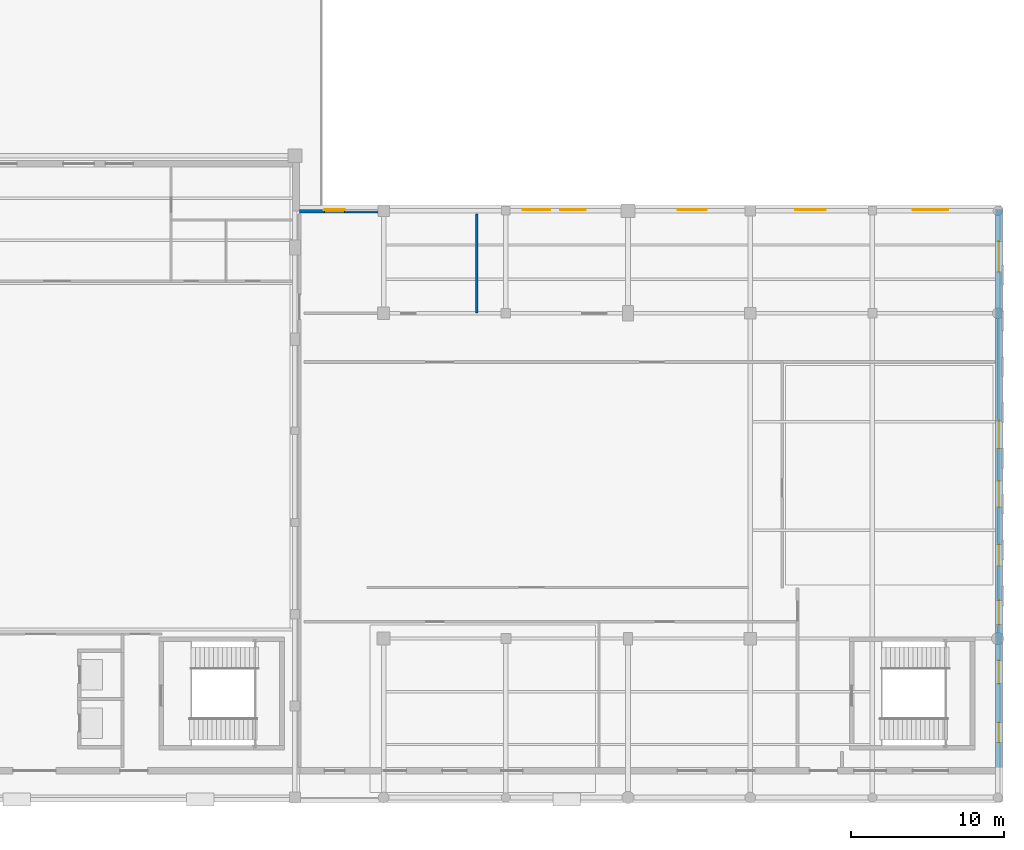
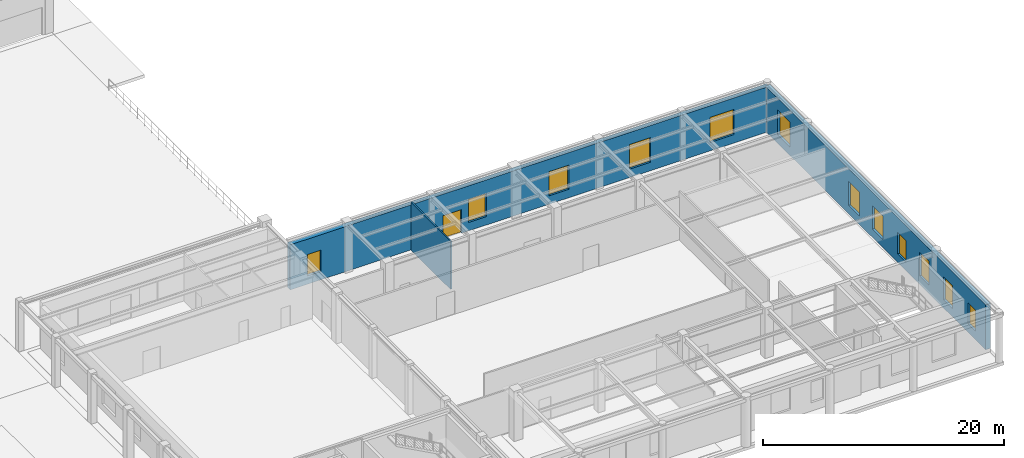
# One storey, part 50 of 68: 12 windows, 3 walls, 1 door, 13 openings.
"""IFC4 building model written with IfcOpenShell, lengths in metres."""

import ifcopenshell
import ifcopenshell.guid

model = None  # the IFC model being written
_history = None  # IfcOwnerHistory: only IFC2X3 demands one
_inside = {}  # id of a spatial element -> (the spatial element, [elements in it])
_under = {}  # id of a project, library or spatial element -> (it, [spatial elements below it])
_declared = {}  # id of a project -> (the project, [libraries it declares])
_typed = {}  # id of a type object -> (the type object, [elements of that type])
_made_of = {}  # id of a material, layer set ... -> (it, [elements and type objects made of it])


def new_model(schema):
    """Start an empty IFC model of exactly this schema.

    Asked for "IFC4X3", IfcOpenShell would pick the latest addendum, in which some entities
    have other attributes; the version numbers below select the first issue.
    IFC2X3 requires an IfcOwnerHistory on every rooted entity: one is made here for all.
    """
    global model, _history
    if schema == "IFC4X3":
        model = ifcopenshell.file(schema_version=(4, 3, 0, 0))
    else:
        model = ifcopenshell.file(schema=schema)
    _inside.clear()
    _under.clear()
    _declared.clear()
    _typed.clear()
    _made_of.clear()
    _history = None
    if model.schema == "IFC2X3":
        org = make("IfcOrganization", Name="unknown")
        user = make(
            "IfcPersonAndOrganization",
            ThePerson=make("IfcPerson", FamilyName="unknown"),
            TheOrganization=org,
        )
        app = make(
            "IfcApplication",
            ApplicationDeveloper=org,
            Version="unknown",
            ApplicationFullName="unknown",
            ApplicationIdentifier="unknown",
        )
        _history = make(
            "IfcOwnerHistory",
            OwningUser=user,
            OwningApplication=app,
            ChangeAction="ADDED",
            CreationDate=0,
        )
    return model


def make(cls, **values):
    """One entity of the class cls with the attributes given. An attribute that is None is left unset."""
    return model.create_entity(
        cls, **{name: value for name, value in values.items() if value is not None}
    )


def rooted(cls, **values):
    """An entity with a GlobalId (a new one), such as an element, a storey or a relation."""
    return make(cls, GlobalId=ifcopenshell.guid.new(), OwnerHistory=_history, **values)


def si_unit(unit_type, name, prefix=None):
    """IfcSIUnit, for example si_unit("LENGTHUNIT", "METRE", prefix="MILLI")."""
    return make("IfcSIUnit", UnitType=unit_type, Prefix=prefix, Name=name)


def assignment(units):
    """IfcUnitAssignment: the units of a project."""
    return None if units is None else make("IfcUnitAssignment", Units=units)


def point(xyz):
    """IfcCartesianPoint."""
    return None if xyz is None else make("IfcCartesianPoint", Coordinates=xyz)


def direction(xyz):
    """IfcDirection."""
    return None if xyz is None else make("IfcDirection", DirectionRatios=xyz)


def frame(location, z_axis=None, x_axis=None):
    """IfcAxis2Placement3D, a coordinate frame: its origin and axes. An axis left out is left unset."""
    return make(
        "IfcAxis2Placement3D",
        Location=point(location),
        Axis=direction(z_axis),
        RefDirection=direction(x_axis),
    )


def frame_2d(location, x_axis=None):
    """IfcAxis2Placement2D, a coordinate frame in the plane: its origin and x axis."""
    return make(
        "IfcAxis2Placement2D", Location=point(location), RefDirection=direction(x_axis)
    )


def origin():
    """The frame at (0, 0, 0) with its axes left unset."""
    return frame((0.0, 0.0, 0.0))


def place(relative_to, where):
    """IfcLocalPlacement: puts the frame where relative to a parent placement (None: the world)."""
    return make(
        "IfcLocalPlacement", PlacementRelTo=relative_to, RelativePlacement=where
    )


def context(
    kind, dimensions, precision=None, world=None, true_north=None, identifier=None
):
    """IfcGeometricRepresentationContext, for example the 3D "Model" context."""
    return make(
        "IfcGeometricRepresentationContext",
        ContextIdentifier=identifier,
        ContextType=kind,
        CoordinateSpaceDimension=dimensions,
        Precision=precision,
        WorldCoordinateSystem=world,
        TrueNorth=true_north,
    )


def subcontext(parent, identifier, kind, view, scale=None):
    """IfcGeometricRepresentationSubContext, for example "Body" below "Model"."""
    return make(
        "IfcGeometricRepresentationSubContext",
        ContextIdentifier=identifier,
        ContextType=kind,
        ParentContext=parent,
        TargetScale=scale,
        TargetView=view,
    )


def project(units=None, contexts=None):
    """IfcProject with its units and contexts."""
    return rooted(
        "IfcProject",
        Name="project",
        RepresentationContexts=contexts,
        UnitsInContext=assignment(units),
    )


def spatial(cls, under=None, at=None, **own):
    """A site, building, storey or space (cls), placed at a placement, below another one or the project."""
    s = rooted(cls, ObjectPlacement=at, **own)
    if under is not None:
        _under.setdefault(under.id(), (under, []))[1].append(s)
    return s


def profile(cls, at=None, kind="AREA", **sizes):
    """A parametric profile (cls). Its sizes go by their IFC names, for example OverallWidth=200.0."""
    return make(cls, ProfileType=kind, Position=at, **sizes)


def rectangle(**sizes):
    """IfcRectangleProfileDef."""
    return profile("IfcRectangleProfileDef", **sizes)


def extrude(swept, where, along, depth):
    """IfcExtrudedAreaSolid: the profile swept, set in the frame where, extruded along a direction by depth."""
    return make(
        "IfcExtrudedAreaSolid",
        SweptArea=swept,
        Position=where,
        ExtrudedDirection=direction(along),
        Depth=depth,
    )


def shape(context_of_items, identifier, shape_type, items):
    """IfcShapeRepresentation: the items that make up one representation, for example the "Body"."""
    return make(
        "IfcShapeRepresentation",
        ContextOfItems=context_of_items,
        RepresentationIdentifier=identifier,
        RepresentationType=shape_type,
        Items=items,
    )


def material(Name=None, Category=None):
    """IfcMaterial."""
    return make("IfcMaterial", Name=Name, Category=Category)


def layer(
    of_material, thickness, ventilated=None, Name=None, Category=None, Priority=None
):
    """IfcMaterialLayer: one layer of a wall or slab, of a material (None: an air gap)."""
    return make(
        "IfcMaterialLayer",
        Material=of_material,
        LayerThickness=thickness,
        IsVentilated=ventilated,
        Name=Name,
        Category=Category,
        Priority=Priority,
    )


def layer_set(layers, Name=None):
    """IfcMaterialLayerSet."""
    return make("IfcMaterialLayerSet", MaterialLayers=layers, LayerSetName=Name)


def made_of(thing, what):
    """Note that an element or type object is made of a material, layer set ...; save() writes the relation."""
    if what is not None:
        _made_of.setdefault(what.id(), (what, []))[1].append(thing)
    return thing


def type_object(cls, material=None, **own):
    """A type object (cls), such as IfcWallType, which elements share."""
    return made_of(rooted(cls, **own), material)


def element(
    cls,
    number,
    at=None,
    inside=None,
    cuts=None,
    type_object=None,
    material=None,
    context=None,
    identifier="Body",
    shape_type=None,
    held_by="IfcProductDefinitionShape",
    body=None,
    shapes=None,
    **own,
):
    """One element of the class cls, such as IfcWall. Its Tag is "e" and its number.

    at: its placement. inside: the storey or other place that contains it. cuts: it is an
    opening in that element (IfcRelVoidsElement). A single representation is given by context,
    identifier, shape_type and body (its items); several are given by shapes. held_by: the class
    of the entity that holds the representations. save() writes the other relations.
    """
    e = rooted(cls, Tag="e%d" % number, ObjectPlacement=at, **own)
    if body is not None:
        shapes = [shape(context, identifier, shape_type, body)]
    if shapes is not None:
        e.Representation = make(held_by, Representations=shapes)
    if inside is not None:
        _inside.setdefault(inside.id(), (inside, []))[1].append(e)
    if cuts is not None:
        rooted(
            "IfcRelVoidsElement", RelatingBuildingElement=cuts, RelatedOpeningElement=e
        )
    if type_object is not None:
        _typed.setdefault(type_object.id(), (type_object, []))[1].append(e)
    return made_of(e, material)


def fill(opening, filler):
    """IfcRelFillsElement: the door or window that sits in an opening."""
    return rooted(
        "IfcRelFillsElement",
        RelatingOpeningElement=opening,
        RelatedBuildingElement=filler,
    )


def aggregate(whole, parts):
    """IfcRelAggregates: a whole, such as a stair, and the parts it consists of."""
    return rooted("IfcRelAggregates", RelatingObject=whole, RelatedObjects=parts)


def save(model, path):
    """Write the relations noted so far, then the file.

    IfcRelAggregates (storeys below a building ...), IfcRelContainedInSpatialStructure (elements
    in a storey), IfcRelDefinesByType, IfcRelAssociatesMaterial and IfcRelDeclares: one each for
    every whole, place, type object, material and project.
    """
    for whole, parts in _under.values():
        aggregate(whole, parts)
    for where, things in _inside.values():
        rooted(
            "IfcRelContainedInSpatialStructure",
            RelatedElements=things,
            RelatingStructure=where,
        )
    for kind, things in _typed.values():
        rooted("IfcRelDefinesByType", RelatedObjects=things, RelatingType=kind)
    for what, things in _made_of.values():
        rooted("IfcRelAssociatesMaterial", RelatedObjects=things, RelatingMaterial=what)
    for by, libraries in _declared.values():
        rooted("IfcRelDeclares", RelatingContext=by, RelatedDefinitions=libraries)
    model.write(path)


model = new_model("IFC4")

# Units and contexts
model_context = context("Model", 3, precision=1e-05, world=origin(), true_north=direction((0.0, 1.0)))
body_context = subcontext(model_context, "Body", "Model", "MODEL_VIEW")
ifc_project = project(units=[si_unit("LENGTHUNIT", "METRE"), si_unit("AREAUNIT", "SQUARE_METRE"), si_unit("VOLUMEUNIT", "CUBIC_METRE"), si_unit("PLANEANGLEUNIT", "RADIAN"), si_unit("MASSUNIT", "GRAM", prefix="KILO"), si_unit("THERMODYNAMICTEMPERATUREUNIT", "KELVIN"), si_unit("POWERUNIT", "WATT")], contexts=[model_context])

# Site, building, storey
site_placement = place(None, origin())
site = spatial("IfcSite", under=ifc_project, at=site_placement, CompositionType="ELEMENT")
building_placement = place(site_placement, origin())
building = spatial("IfcBuilding", under=site, at=building_placement, Name="Solvatero Civic Police Headquarters", CompositionType="ELEMENT")
storey_placement = place(building_placement, origin())
storey = spatial("IfcBuildingStorey", under=building, at=storey_placement, Name="L00", CompositionType="ELEMENT", Elevation=0.0)

# Wall, openings, windows
ifc_material_1 = material(Name="Grey Sandstone Ashlar", Category="masonry")
ifc_layer_1 = layer(ifc_material_1, 0.449951171875)
ifc_layer_set_1 = layer_set([ifc_layer_1], Name="Grey Sandstone Ashlar")
wall_type_1 = type_object("IfcWallType", Name="WL-EXT-SAND-450", PredefinedType="SOLIDWALL", material=ifc_layer_set_1)
wall_1_placement = place(storey_placement, frame((168.280029296875, 6.760009765625, 0.0), z_axis=(0.0, 0.0, 1.0), x_axis=(0.0, 1.0, 0.0)))
wall_1 = element("IfcWall", 1, at=wall_1_placement, inside=storey, type_object=wall_type_1, Name="Exterior Wall WLE-L00-V3-E", PredefinedType="SOLIDWALL", context=body_context, shape_type="SweptSolid", body=[
    extrude(rectangle(XDim=36.52001953125, YDim=0.449951171875, at=frame_2d((18.260009765625, 0.0))), origin(), (0.0, 0.0, 1.0), 4.56005859375),
])
opening_1_placement = place(wall_1_placement, frame((1.64990234375, 0.0, 0.85009765625)))
opening_1 = element("IfcOpeningElement", 2, at=opening_1_placement, cuts=wall_1, Name="Opening W-13", PredefinedType="OPENING", context=body_context, shape_type="SweptSolid", body=[
    extrude(rectangle(XDim=1.300048828125, YDim=2.14990234375, at=frame_2d((0.64990234375, 1.074951171875))), frame((0.0, 0.23486328125, 0.0), z_axis=(0.0, -1.0, 0.0), x_axis=(1.0, 0.0, 0.0)), (0.0, 0.0, 1.0), 0.469970703125),
])
opening_2_placement = place(wall_1_placement, frame((5.5, 0.0, 0.85009765625)))
opening_2 = element("IfcOpeningElement", 3, at=opening_2_placement, cuts=wall_1, Name="Opening W-03", PredefinedType="OPENING", context=body_context, shape_type="SweptSolid", body=[
    extrude(rectangle(XDim=1.5, YDim=2.300048828125, at=frame_2d((0.75, 1.14990234375))), frame((0.0, 0.23486328125, 0.0), z_axis=(0.0, -1.0, 0.0), x_axis=(1.0, 0.0, 0.0)), (0.0, 0.0, 1.0), 0.469970703125),
])
opening_3_placement = place(wall_1_placement, frame((9.35009765625, 0.0, 0.85009765625)))
opening_3 = element("IfcOpeningElement", 4, at=opening_3_placement, cuts=wall_1, Name="Opening W-04", PredefinedType="OPENING", context=body_context, shape_type="SweptSolid", body=[
    extrude(rectangle(XDim=1.60009765625, YDim=2.39990234375, at=frame_2d((0.800048828125, 1.199951171875))), frame((0.0, 0.23486328125, 0.0), z_axis=(0.0, -1.0, 0.0), x_axis=(1.0, 0.0, 0.0)), (0.0, 0.0, 1.0), 0.469970703125),
])
opening_4_placement = place(wall_1_placement, frame((13.199951171875, 0.0, 0.85009765625)))
opening_4 = element("IfcOpeningElement", 5, at=opening_4_placement, cuts=wall_1, Name="Opening W-02", PredefinedType="OPENING", context=body_context, shape_type="SweptSolid", body=[
    extrude(rectangle(XDim=1.39990234375, YDim=2.199951171875, at=frame_2d((0.699951171875, 1.10009765625))), frame((0.0, 0.23486328125, 0.0), z_axis=(0.0, -1.0, 0.0), x_axis=(1.0, 0.0, 0.0)), (0.0, 0.0, 1.0), 0.469970703125),
])
opening_5_placement = place(wall_1_placement, frame((17.050048828125, 0.0, 0.85009765625)))
opening_5 = element("IfcOpeningElement", 6, at=opening_5_placement, cuts=wall_1, Name="Opening W-14", PredefinedType="OPENING", context=body_context, shape_type="SweptSolid", body=[
    extrude(rectangle(XDim=1.699951171875, YDim=2.35009765625, at=frame_2d((0.85009765625, 1.175048828125))), frame((0.0, 0.23486328125, 0.0), z_axis=(0.0, -1.0, 0.0), x_axis=(1.0, 0.0, 0.0)), (0.0, 0.0, 1.0), 0.469970703125),
])
opening_6_placement = place(wall_1_placement, frame((20.89990234375, 0.0, 0.85009765625)))
opening_6 = element("IfcOpeningElement", 7, at=opening_6_placement, cuts=wall_1, Name="Opening W-05", PredefinedType="OPENING", context=body_context, shape_type="SweptSolid", body=[
    extrude(rectangle(XDim=1.800048828125, YDim=2.39990234375, at=frame_2d((0.89990234375, 1.199951171875))), frame((0.0, 0.23486328125, 0.0), z_axis=(0.0, -1.0, 0.0), x_axis=(1.0, 0.0, 0.0)), (0.0, 0.0, 1.0), 0.469970703125),
])
opening_7_placement = place(wall_1_placement, frame((32.449951171875, 0.0, 0.85009765625)))
opening_7 = element("IfcOpeningElement", 8, at=opening_7_placement, cuts=wall_1, Name="Opening W-06", PredefinedType="OPENING", context=body_context, shape_type="SweptSolid", body=[
    extrude(rectangle(XDim=2.0, YDim=2.5, at=frame_2d((1.0, 1.25))), frame((0.0, 0.23486328125, 0.0), z_axis=(0.0, -1.0, 0.0), x_axis=(1.0, 0.0, 0.0)), (0.0, 0.0, 1.0), 0.469970703125),
])
ifc_material_2 = material(Name="Anodized Bronze Aluminium", Category="aluminium")
window_type_1 = type_object("IfcWindowType", Name="WN-CL-130x215", PartitioningType="SINGLE_PANEL", PredefinedType="WINDOW", material=ifc_material_2)
window_1_placement = place(opening_1_placement, origin())
window_1 = element("IfcWindow", 9, at=window_1_placement, inside=storey, type_object=window_type_1, Name="Exterior Window 0239", OverallHeight=2.14990234375, OverallWidth=1.300048828125, PartitioningType="SINGLE_PANEL", PredefinedType="WINDOW", context=body_context, shape_type="SweptSolid", body=[
    extrude(rectangle(XDim=1.300048828125, YDim=2.14990234375, at=frame_2d((0.64990234375, 1.074951171875))), frame((0.0, 0.030029296875, 0.0), z_axis=(0.0, -1.0, 0.0), x_axis=(1.0, 0.0, 0.0)), (0.0, 0.0, 1.0), 0.06005859375),
])
fill(opening_1, window_1)
window_type_2 = type_object("IfcWindowType", Name="WN-CL-140x220", PartitioningType="SINGLE_PANEL", PredefinedType="WINDOW", material=ifc_material_2)
window_2_placement = place(opening_4_placement, origin())
window_2 = element("IfcWindow", 10, at=window_2_placement, inside=storey, type_object=window_type_2, Name="Exterior Window 0242", OverallHeight=2.199951171875, OverallWidth=1.39990234375, PartitioningType="SINGLE_PANEL", PredefinedType="WINDOW", context=body_context, shape_type="SweptSolid", body=[
    extrude(rectangle(XDim=1.39990234375, YDim=2.199951171875, at=frame_2d((0.699951171875, 1.10009765625))), frame((0.0, 0.030029296875, 0.0), z_axis=(0.0, -1.0, 0.0), x_axis=(1.0, 0.0, 0.0)), (0.0, 0.0, 1.0), 0.06005859375),
])
fill(opening_4, window_2)
window_type_3 = type_object("IfcWindowType", Name="WN-CL-150x230", PartitioningType="SINGLE_PANEL", PredefinedType="WINDOW", material=ifc_material_2)
window_3_placement = place(opening_2_placement, origin())
window_3 = element("IfcWindow", 11, at=window_3_placement, inside=storey, type_object=window_type_3, Name="Exterior Window 0240", OverallHeight=2.300048828125, OverallWidth=1.5, PartitioningType="SINGLE_PANEL", PredefinedType="WINDOW", context=body_context, shape_type="SweptSolid", body=[
    extrude(rectangle(XDim=1.5, YDim=2.300048828125, at=frame_2d((0.75, 1.14990234375))), frame((0.0, 0.030029296875, 0.0), z_axis=(0.0, -1.0, 0.0), x_axis=(1.0, 0.0, 0.0)), (0.0, 0.0, 1.0), 0.06005859375),
])
fill(opening_2, window_3)
window_type_4 = type_object("IfcWindowType", Name="WN-CL-160x240", PartitioningType="SINGLE_PANEL", PredefinedType="WINDOW", material=ifc_material_2)
window_4_placement = place(opening_3_placement, origin())
window_4 = element("IfcWindow", 12, at=window_4_placement, inside=storey, type_object=window_type_4, Name="Exterior Window 0241", OverallHeight=2.39990234375, OverallWidth=1.60009765625, PartitioningType="SINGLE_PANEL", PredefinedType="WINDOW", context=body_context, shape_type="SweptSolid", body=[
    extrude(rectangle(XDim=1.60009765625, YDim=2.39990234375, at=frame_2d((0.800048828125, 1.199951171875))), frame((0.0, 0.030029296875, 0.0), z_axis=(0.0, -1.0, 0.0), x_axis=(1.0, 0.0, 0.0)), (0.0, 0.0, 1.0), 0.06005859375),
])
fill(opening_3, window_4)
window_type_5 = type_object("IfcWindowType", Name="WN-CL-170x235", PartitioningType="SINGLE_PANEL", PredefinedType="WINDOW", material=ifc_material_2)
window_5_placement = place(opening_5_placement, origin())
window_5 = element("IfcWindow", 13, at=window_5_placement, inside=storey, type_object=window_type_5, Name="Exterior Window 0243", OverallHeight=2.35009765625, OverallWidth=1.699951171875, PartitioningType="SINGLE_PANEL", PredefinedType="WINDOW", context=body_context, shape_type="SweptSolid", body=[
    extrude(rectangle(XDim=1.699951171875, YDim=2.35009765625, at=frame_2d((0.85009765625, 1.175048828125))), frame((0.0, 0.030029296875, 0.0), z_axis=(0.0, -1.0, 0.0), x_axis=(1.0, 0.0, 0.0)), (0.0, 0.0, 1.0), 0.06005859375),
])
fill(opening_5, window_5)
window_type_6 = type_object("IfcWindowType", Name="WN-CL-180x240", PartitioningType="SINGLE_PANEL", PredefinedType="WINDOW", material=ifc_material_2)
window_6_placement = place(opening_6_placement, origin())
window_6 = element("IfcWindow", 14, at=window_6_placement, inside=storey, type_object=window_type_6, Name="Exterior Window 0244", OverallHeight=2.39990234375, OverallWidth=1.800048828125, PartitioningType="SINGLE_PANEL", PredefinedType="WINDOW", context=body_context, shape_type="SweptSolid", body=[
    extrude(rectangle(XDim=1.800048828125, YDim=2.39990234375, at=frame_2d((0.89990234375, 1.199951171875))), frame((0.0, 0.030029296875, 0.0), z_axis=(0.0, -1.0, 0.0), x_axis=(1.0, 0.0, 0.0)), (0.0, 0.0, 1.0), 0.06005859375),
])
fill(opening_6, window_6)
window_type_7 = type_object("IfcWindowType", Name="WN-CL-200x250", PartitioningType="SINGLE_PANEL", PredefinedType="WINDOW", material=ifc_material_2)
window_7_placement = place(opening_7_placement, origin())
window_7 = element("IfcWindow", 15, at=window_7_placement, inside=storey, type_object=window_type_7, Name="Exterior Window 0245", OverallHeight=2.5, OverallWidth=2.0, PartitioningType="SINGLE_PANEL", PredefinedType="WINDOW", context=body_context, shape_type="SweptSolid", body=[
    extrude(rectangle(XDim=2.0, YDim=2.5, at=frame_2d((1.0, 1.25))), frame((0.0, 0.030029296875, 0.0), z_axis=(0.0, -1.0, 0.0), x_axis=(1.0, 0.0, 0.0)), (0.0, 0.0, 1.0), 0.06005859375),
])
fill(opening_7, window_7)

# Wall, openings, door, windows
wall_2_placement = place(storey_placement, frame((122.5, 43.280029296875, 0.0), z_axis=(0.0, 0.0, 1.0), x_axis=(1.0, 0.0, 0.0)))
wall_2 = element("IfcWall", 16, at=wall_2_placement, inside=storey, type_object=wall_type_1, Name="Exterior Wall WLE-L00-V3-N", PredefinedType="SOLIDWALL", context=body_context, shape_type="SweptSolid", body=[
    extrude(rectangle(XDim=45.780029296875, YDim=0.449951171875, at=frame_2d((22.89013671875, 0.0))), origin(), (0.0, 0.0, 1.0), 4.56005859375),
])
opening_8_placement = place(wall_2_placement, frame((14.60009765625, 0.0, 0.0)))
opening_8 = element("IfcOpeningElement", 17, at=opening_8_placement, cuts=wall_2, Name="Opening ED-04", PredefinedType="OPENING", context=body_context, shape_type="SweptSolid", body=[
    extrude(rectangle(XDim=1.800048828125, YDim=2.39990234375, at=frame_2d((0.89990234375, 1.199951171875))), frame((0.0, 0.23486328125, 0.0), z_axis=(0.0, -1.0, 0.0), x_axis=(1.0, 0.0, 0.0)), (0.0, 0.0, 1.0), 0.469970703125),
])
opening_9_placement = place(wall_2_placement, frame((1.64990234375, 0.0, 0.85009765625)))
opening_9 = element("IfcOpeningElement", 18, at=opening_9_placement, cuts=wall_2, Name="Opening W-13", PredefinedType="OPENING", context=body_context, shape_type="SweptSolid", body=[
    extrude(rectangle(XDim=1.300048828125, YDim=2.14990234375, at=frame_2d((0.64990234375, 1.074951171875))), frame((0.0, 0.23486328125, 0.0), z_axis=(0.0, -1.0, 0.0), x_axis=(1.0, 0.0, 0.0)), (0.0, 0.0, 1.0), 0.469970703125),
])
opening_10_placement = place(wall_2_placement, frame((17.050048828125, 0.0, 0.85009765625)))
opening_10 = element("IfcOpeningElement", 19, at=opening_10_placement, cuts=wall_2, Name="Opening W-14", PredefinedType="OPENING", context=body_context, shape_type="SweptSolid", body=[
    extrude(rectangle(XDim=1.699951171875, YDim=2.35009765625, at=frame_2d((0.85009765625, 1.175048828125))), frame((0.0, 0.23486328125, 0.0), z_axis=(0.0, -1.0, 0.0), x_axis=(1.0, 0.0, 0.0)), (0.0, 0.0, 1.0), 0.469970703125),
])
opening_11_placement = place(wall_2_placement, frame((24.75, 0.0, 0.85009765625)))
opening_11 = element("IfcOpeningElement", 20, at=opening_11_placement, cuts=wall_2, Name="Opening W-15", PredefinedType="OPENING", context=body_context, shape_type="SweptSolid", body=[
    extrude(rectangle(XDim=1.89990234375, YDim=2.449951171875, at=frame_2d((0.949951171875, 1.22509765625))), frame((0.0, 0.23486328125, 0.0), z_axis=(0.0, -1.0, 0.0), x_axis=(1.0, 0.0, 0.0)), (0.0, 0.0, 1.0), 0.469970703125),
])
opening_12_placement = place(wall_2_placement, frame((32.449951171875, 0.0, 0.85009765625)))
opening_12 = element("IfcOpeningElement", 21, at=opening_12_placement, cuts=wall_2, Name="Opening W-06", PredefinedType="OPENING", context=body_context, shape_type="SweptSolid", body=[
    extrude(rectangle(XDim=2.0, YDim=2.5, at=frame_2d((1.0, 1.25))), frame((0.0, 0.23486328125, 0.0), z_axis=(0.0, -1.0, 0.0), x_axis=(1.0, 0.0, 0.0)), (0.0, 0.0, 1.0), 0.469970703125),
])
opening_13_placement = place(wall_2_placement, frame((40.14990234375, 0.0, 0.85009765625)))
opening_13 = element("IfcOpeningElement", 22, at=opening_13_placement, cuts=wall_2, Name="Opening W-17", PredefinedType="OPENING", context=body_context, shape_type="SweptSolid", body=[
    extrude(rectangle(XDim=2.300048828125, YDim=2.550048828125, at=frame_2d((1.14990234375, 1.27490234375))), frame((0.0, 0.23486328125, 0.0), z_axis=(0.0, -1.0, 0.0), x_axis=(1.0, 0.0, 0.0)), (0.0, 0.0, 1.0), 0.469970703125),
])
ifc_material_3 = material(Name="Anodized Bronze Aluminium and Laminated Glass", Category="aluminium")
door_type = type_object("IfcDoorType", Name="DR-EXT-180x240", OperationType="DOUBLE_DOOR_SINGLE_SWING", PredefinedType="DOOR", material=ifc_material_3)
door_placement = place(opening_8_placement, origin())
door = element("IfcDoor", 23, at=door_placement, inside=storey, type_object=door_type, Name="Exterior Door DR-L00-GYM-N", OperationType="DOUBLE_DOOR_SINGLE_SWING", OverallHeight=2.39990234375, OverallWidth=1.800048828125, PredefinedType="DOOR", context=body_context, shape_type="SweptSolid", body=[
    extrude(rectangle(XDim=1.800048828125, YDim=2.39990234375, at=frame_2d((0.89990234375, 1.199951171875))), frame((0.0, 0.02490234375, 0.0), z_axis=(0.0, -1.0, 0.0), x_axis=(1.0, 0.0, 0.0)), (0.0, 0.0, 1.0), 0.050048828125),
])
fill(opening_8, door)
window_8_placement = place(opening_9_placement, origin())
window_8 = element("IfcWindow", 24, at=window_8_placement, inside=storey, type_object=window_type_1, Name="Exterior Window 0246", OverallHeight=2.14990234375, OverallWidth=1.300048828125, PartitioningType="SINGLE_PANEL", PredefinedType="WINDOW", context=body_context, shape_type="SweptSolid", body=[
    extrude(rectangle(XDim=1.300048828125, YDim=2.14990234375, at=frame_2d((0.64990234375, 1.074951171875))), frame((0.0, 0.030029296875, 0.0), z_axis=(0.0, -1.0, 0.0), x_axis=(1.0, 0.0, 0.0)), (0.0, 0.0, 1.0), 0.06005859375),
])
fill(opening_9, window_8)
window_9_placement = place(opening_10_placement, origin())
window_9 = element("IfcWindow", 25, at=window_9_placement, inside=storey, type_object=window_type_5, Name="Exterior Window 0247", OverallHeight=2.35009765625, OverallWidth=1.699951171875, PartitioningType="SINGLE_PANEL", PredefinedType="WINDOW", context=body_context, shape_type="SweptSolid", body=[
    extrude(rectangle(XDim=1.699951171875, YDim=2.35009765625, at=frame_2d((0.85009765625, 1.175048828125))), frame((0.0, 0.030029296875, 0.0), z_axis=(0.0, -1.0, 0.0), x_axis=(1.0, 0.0, 0.0)), (0.0, 0.0, 1.0), 0.06005859375),
])
fill(opening_10, window_9)
window_type_8 = type_object("IfcWindowType", Name="WN-CL-190x245", PartitioningType="SINGLE_PANEL", PredefinedType="WINDOW", material=ifc_material_2)
window_10_placement = place(opening_11_placement, origin())
window_10 = element("IfcWindow", 26, at=window_10_placement, inside=storey, type_object=window_type_8, Name="Exterior Window 0248", OverallHeight=2.449951171875, OverallWidth=1.89990234375, PartitioningType="SINGLE_PANEL", PredefinedType="WINDOW", context=body_context, shape_type="SweptSolid", body=[
    extrude(rectangle(XDim=1.89990234375, YDim=2.449951171875, at=frame_2d((0.949951171875, 1.22509765625))), frame((0.0, 0.030029296875, 0.0), z_axis=(0.0, -1.0, 0.0), x_axis=(1.0, 0.0, 0.0)), (0.0, 0.0, 1.0), 0.06005859375),
])
fill(opening_11, window_10)
window_11_placement = place(opening_12_placement, origin())
window_11 = element("IfcWindow", 27, at=window_11_placement, inside=storey, type_object=window_type_7, Name="Exterior Window 0249", OverallHeight=2.5, OverallWidth=2.0, PartitioningType="SINGLE_PANEL", PredefinedType="WINDOW", context=body_context, shape_type="SweptSolid", body=[
    extrude(rectangle(XDim=2.0, YDim=2.5, at=frame_2d((1.0, 1.25))), frame((0.0, 0.030029296875, 0.0), z_axis=(0.0, -1.0, 0.0), x_axis=(1.0, 0.0, 0.0)), (0.0, 0.0, 1.0), 0.06005859375),
])
fill(opening_12, window_11)
window_type_9 = type_object("IfcWindowType", Name="WN-CL-230x255", PartitioningType="SINGLE_PANEL", PredefinedType="WINDOW", material=ifc_material_2)
window_12_placement = place(opening_13_placement, origin())
window_12 = element("IfcWindow", 28, at=window_12_placement, inside=storey, type_object=window_type_9, Name="Exterior Window 0250", OverallHeight=2.550048828125, OverallWidth=2.300048828125, PartitioningType="SINGLE_PANEL", PredefinedType="WINDOW", context=body_context, shape_type="SweptSolid", body=[
    extrude(rectangle(XDim=2.300048828125, YDim=2.550048828125, at=frame_2d((1.14990234375, 1.27490234375))), frame((0.0, 0.030029296875, 0.0), z_axis=(0.0, -1.0, 0.0), x_axis=(1.0, 0.0, 0.0)), (0.0, 0.0, 1.0), 0.06005859375),
])
fill(opening_13, window_12)

# Wall
ifc_material_4 = material(Name="Gypsum Double-Stud", Category="gypsum")
ifc_layer_2 = layer(ifc_material_4, 0.135009765625)
ifc_layer_set_2 = layer_set([ifc_layer_2], Name="Gypsum Double-Stud")
wall_type_2 = type_object("IfcWallType", Name="WL-PTN-135", PredefinedType="PARTITIONING", material=ifc_layer_set_2)
wall_3_placement = place(storey_placement, frame((134.10009765625, 36.5, 0.0), z_axis=(0.0, 0.0, 1.0), x_axis=(0.0, 1.0, 0.0)))
element("IfcWall", 29, at=wall_3_placement, inside=storey, type_object=wall_type_2, Name="Interior Partition WLP-L00-LCKA-E", PredefinedType="PARTITIONING", context=body_context, shape_type="SweptSolid", body=[
    extrude(rectangle(XDim=6.5, YDim=0.135009765625, at=frame_2d((3.25, 0.0))), origin(), (0.0, 0.0, 1.0), 4.860107421875),
])

save(model, "model.ifc")
